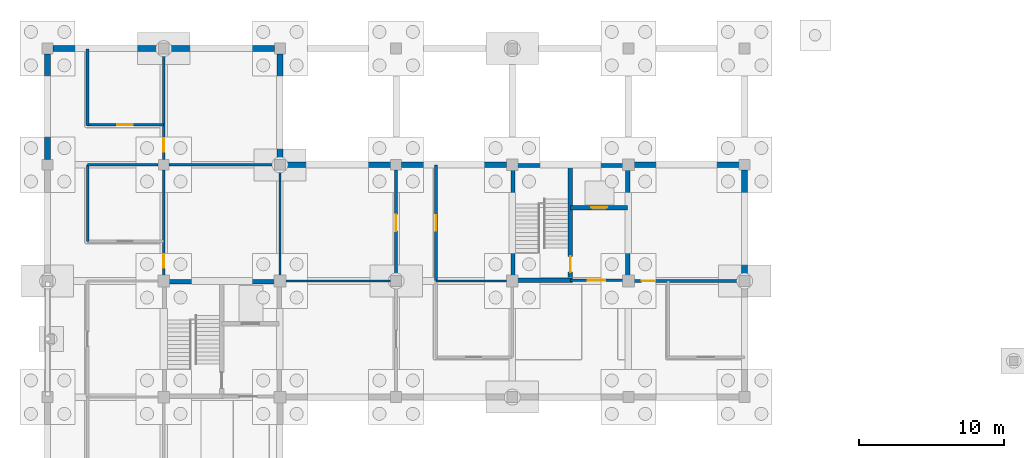
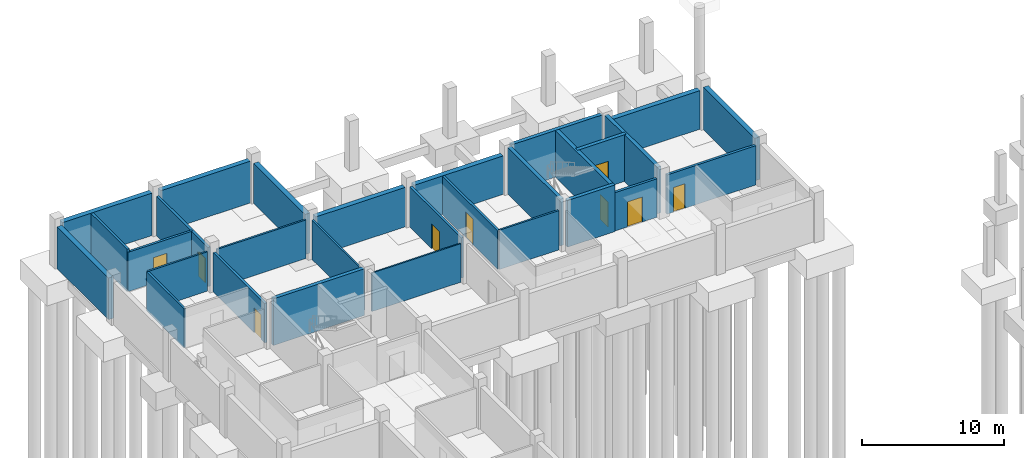
# One storey, part 33 of 48: 29 walls, 9 doors, 9 openings.
"""IFC4 building model written with IfcOpenShell, lengths in metres."""

import ifcopenshell
import ifcopenshell.guid

model = None  # the IFC model being written
_history = None  # IfcOwnerHistory: only IFC2X3 demands one
_inside = {}  # id of a spatial element -> (the spatial element, [elements in it])
_under = {}  # id of a project, library or spatial element -> (it, [spatial elements below it])
_declared = {}  # id of a project -> (the project, [libraries it declares])
_typed = {}  # id of a type object -> (the type object, [elements of that type])
_made_of = {}  # id of a material, layer set ... -> (it, [elements and type objects made of it])


def new_model(schema):
    """Start an empty IFC model of exactly this schema.

    Asked for "IFC4X3", IfcOpenShell would pick the latest addendum, in which some entities
    have other attributes; the version numbers below select the first issue.
    IFC2X3 requires an IfcOwnerHistory on every rooted entity: one is made here for all.
    """
    global model, _history
    if schema == "IFC4X3":
        model = ifcopenshell.file(schema_version=(4, 3, 0, 0))
    else:
        model = ifcopenshell.file(schema=schema)
    _inside.clear()
    _under.clear()
    _declared.clear()
    _typed.clear()
    _made_of.clear()
    _history = None
    if model.schema == "IFC2X3":
        org = make("IfcOrganization", Name="unknown")
        user = make(
            "IfcPersonAndOrganization",
            ThePerson=make("IfcPerson", FamilyName="unknown"),
            TheOrganization=org,
        )
        app = make(
            "IfcApplication",
            ApplicationDeveloper=org,
            Version="unknown",
            ApplicationFullName="unknown",
            ApplicationIdentifier="unknown",
        )
        _history = make(
            "IfcOwnerHistory",
            OwningUser=user,
            OwningApplication=app,
            ChangeAction="ADDED",
            CreationDate=0,
        )
    return model


def make(cls, **values):
    """One entity of the class cls with the attributes given. An attribute that is None is left unset."""
    return model.create_entity(
        cls, **{name: value for name, value in values.items() if value is not None}
    )


def rooted(cls, **values):
    """An entity with a GlobalId (a new one), such as an element, a storey or a relation."""
    return make(cls, GlobalId=ifcopenshell.guid.new(), OwnerHistory=_history, **values)


def si_unit(unit_type, name, prefix=None):
    """IfcSIUnit, for example si_unit("LENGTHUNIT", "METRE", prefix="MILLI")."""
    return make("IfcSIUnit", UnitType=unit_type, Prefix=prefix, Name=name)


def derived_unit(unit_type, elements):
    """IfcDerivedUnit: a product of units, each with its exponent."""
    return make(
        "IfcDerivedUnit",
        Elements=[
            make("IfcDerivedUnitElement", Unit=unit, Exponent=power)
            for unit, power in elements
        ],
        UnitType=unit_type,
    )


def assignment(units):
    """IfcUnitAssignment: the units of a project."""
    return None if units is None else make("IfcUnitAssignment", Units=units)


def point(xyz):
    """IfcCartesianPoint."""
    return None if xyz is None else make("IfcCartesianPoint", Coordinates=xyz)


def direction(xyz):
    """IfcDirection."""
    return None if xyz is None else make("IfcDirection", DirectionRatios=xyz)


def frame(location, z_axis=None, x_axis=None):
    """IfcAxis2Placement3D, a coordinate frame: its origin and axes. An axis left out is left unset."""
    return make(
        "IfcAxis2Placement3D",
        Location=point(location),
        Axis=direction(z_axis),
        RefDirection=direction(x_axis),
    )


def frame_2d(location, x_axis=None):
    """IfcAxis2Placement2D, a coordinate frame in the plane: its origin and x axis."""
    return make(
        "IfcAxis2Placement2D", Location=point(location), RefDirection=direction(x_axis)
    )


def origin():
    """The frame at (0, 0, 0) with its axes left unset."""
    return frame((0.0, 0.0, 0.0))


def place(relative_to, where):
    """IfcLocalPlacement: puts the frame where relative to a parent placement (None: the world)."""
    return make(
        "IfcLocalPlacement", PlacementRelTo=relative_to, RelativePlacement=where
    )


def context(
    kind, dimensions, precision=None, world=None, true_north=None, identifier=None
):
    """IfcGeometricRepresentationContext, for example the 3D "Model" context."""
    return make(
        "IfcGeometricRepresentationContext",
        ContextIdentifier=identifier,
        ContextType=kind,
        CoordinateSpaceDimension=dimensions,
        Precision=precision,
        WorldCoordinateSystem=world,
        TrueNorth=true_north,
    )


def subcontext(parent, identifier, kind, view, scale=None):
    """IfcGeometricRepresentationSubContext, for example "Body" below "Model"."""
    return make(
        "IfcGeometricRepresentationSubContext",
        ContextIdentifier=identifier,
        ContextType=kind,
        ParentContext=parent,
        TargetScale=scale,
        TargetView=view,
    )


def project(units=None, contexts=None):
    """IfcProject with its units and contexts."""
    return rooted(
        "IfcProject",
        Name="project",
        RepresentationContexts=contexts,
        UnitsInContext=assignment(units),
    )


def spatial(cls, under=None, at=None, **own):
    """A site, building, storey or space (cls), placed at a placement, below another one or the project."""
    s = rooted(cls, ObjectPlacement=at, **own)
    if under is not None:
        _under.setdefault(under.id(), (under, []))[1].append(s)
    return s


def profile(cls, at=None, kind="AREA", **sizes):
    """A parametric profile (cls). Its sizes go by their IFC names, for example OverallWidth=200.0."""
    return make(cls, ProfileType=kind, Position=at, **sizes)


def rectangle(**sizes):
    """IfcRectangleProfileDef."""
    return profile("IfcRectangleProfileDef", **sizes)


def extrude(swept, where, along, depth):
    """IfcExtrudedAreaSolid: the profile swept, set in the frame where, extruded along a direction by depth."""
    return make(
        "IfcExtrudedAreaSolid",
        SweptArea=swept,
        Position=where,
        ExtrudedDirection=direction(along),
        Depth=depth,
    )


def shape(context_of_items, identifier, shape_type, items):
    """IfcShapeRepresentation: the items that make up one representation, for example the "Body"."""
    return make(
        "IfcShapeRepresentation",
        ContextOfItems=context_of_items,
        RepresentationIdentifier=identifier,
        RepresentationType=shape_type,
        Items=items,
    )


def material(Name=None, Category=None):
    """IfcMaterial."""
    return make("IfcMaterial", Name=Name, Category=Category)


def layer(
    of_material, thickness, ventilated=None, Name=None, Category=None, Priority=None
):
    """IfcMaterialLayer: one layer of a wall or slab, of a material (None: an air gap)."""
    return make(
        "IfcMaterialLayer",
        Material=of_material,
        LayerThickness=thickness,
        IsVentilated=ventilated,
        Name=Name,
        Category=Category,
        Priority=Priority,
    )


def layer_set(layers, Name=None):
    """IfcMaterialLayerSet."""
    return make("IfcMaterialLayerSet", MaterialLayers=layers, LayerSetName=Name)


def made_of(thing, what):
    """Note that an element or type object is made of a material, layer set ...; save() writes the relation."""
    if what is not None:
        _made_of.setdefault(what.id(), (what, []))[1].append(thing)
    return thing


def type_object(cls, material=None, **own):
    """A type object (cls), such as IfcWallType, which elements share."""
    return made_of(rooted(cls, **own), material)


def element(
    cls,
    number,
    at=None,
    inside=None,
    cuts=None,
    type_object=None,
    material=None,
    context=None,
    identifier="Body",
    shape_type=None,
    held_by="IfcProductDefinitionShape",
    body=None,
    shapes=None,
    **own,
):
    """One element of the class cls, such as IfcWall. Its Tag is "e" and its number.

    at: its placement. inside: the storey or other place that contains it. cuts: it is an
    opening in that element (IfcRelVoidsElement). A single representation is given by context,
    identifier, shape_type and body (its items); several are given by shapes. held_by: the class
    of the entity that holds the representations. save() writes the other relations.
    """
    e = rooted(cls, Tag="e%d" % number, ObjectPlacement=at, **own)
    if body is not None:
        shapes = [shape(context, identifier, shape_type, body)]
    if shapes is not None:
        e.Representation = make(held_by, Representations=shapes)
    if inside is not None:
        _inside.setdefault(inside.id(), (inside, []))[1].append(e)
    if cuts is not None:
        rooted(
            "IfcRelVoidsElement", RelatingBuildingElement=cuts, RelatedOpeningElement=e
        )
    if type_object is not None:
        _typed.setdefault(type_object.id(), (type_object, []))[1].append(e)
    return made_of(e, material)


def fill(opening, filler):
    """IfcRelFillsElement: the door or window that sits in an opening."""
    return rooted(
        "IfcRelFillsElement",
        RelatingOpeningElement=opening,
        RelatedBuildingElement=filler,
    )


def aggregate(whole, parts):
    """IfcRelAggregates: a whole, such as a stair, and the parts it consists of."""
    return rooted("IfcRelAggregates", RelatingObject=whole, RelatedObjects=parts)


def save(model, path):
    """Write the relations noted so far, then the file.

    IfcRelAggregates (storeys below a building ...), IfcRelContainedInSpatialStructure (elements
    in a storey), IfcRelDefinesByType, IfcRelAssociatesMaterial and IfcRelDeclares: one each for
    every whole, place, type object, material and project.
    """
    for whole, parts in _under.values():
        aggregate(whole, parts)
    for where, things in _inside.values():
        rooted(
            "IfcRelContainedInSpatialStructure",
            RelatedElements=things,
            RelatingStructure=where,
        )
    for kind, things in _typed.values():
        rooted("IfcRelDefinesByType", RelatedObjects=things, RelatingType=kind)
    for what, things in _made_of.values():
        rooted("IfcRelAssociatesMaterial", RelatedObjects=things, RelatingMaterial=what)
    for by, libraries in _declared.values():
        rooted("IfcRelDeclares", RelatingContext=by, RelatedDefinitions=libraries)
    model.write(path)


model = new_model("IFC4")

# Units and contexts
model_context = context("Model", 3, precision=1e-05, world=origin(), true_north=direction((0.0, 1.0)))
body_context = subcontext(model_context, "Body", "Model", "MODEL_VIEW")
ifc_project = project(units=[si_unit("LENGTHUNIT", "METRE"), si_unit("AREAUNIT", "SQUARE_METRE"), si_unit("VOLUMEUNIT", "CUBIC_METRE"), si_unit("PLANEANGLEUNIT", "RADIAN"), si_unit("MASSUNIT", "GRAM", prefix="KILO"), derived_unit("THERMALTRANSMITTANCEUNIT", [(si_unit("MASSUNIT", "GRAM", prefix="KILO"), 1), (si_unit("TIMEUNIT", "SECOND"), -3), (si_unit("THERMODYNAMICTEMPERATUREUNIT", "KELVIN"), -1)])], contexts=[model_context])

# Site, building, storey
site_placement = place(None, origin())
site = spatial("IfcSite", under=ifc_project, at=site_placement, CompositionType="ELEMENT")
building_placement = place(site_placement, origin())
building = spatial("IfcBuilding", under=site, at=building_placement, Name="Veyamyaing Civic Hall", CompositionType="ELEMENT")
storey_placement = place(building_placement, frame((0.0, 0.0, -4.2900390625)))
storey = spatial("IfcBuildingStorey", under=building, at=storey_placement, Name="B1", CompositionType="ELEMENT", Elevation=-4.2900390625)

# Walls
ifc_material_1 = material(Name="Concrete C40/50", Category="concrete")
ifc_layer_1 = layer(ifc_material_1, 0.39990234375, Name="Concrete C40/50")
ifc_layer_set_1 = layer_set([ifc_layer_1], Name="Concrete C40/50")
wall_type_1 = type_object("IfcWallType", Name="WT-01", PredefinedType="SHEAR", material=ifc_layer_set_1)
wall_1_placement = place(storey_placement, frame((0.360107421875, 112.0, 0.0), z_axis=(0.0, 0.0, 1.0), x_axis=(1.0, 0.0, 0.0)))
element("IfcWall", 1, at=wall_1_placement, inside=storey, type_object=wall_type_1, Name="Basement retaining wall WT-01 N 1.14", PredefinedType="SHEAR", context=body_context, shape_type="SweptSolid", body=[
    extrude(rectangle(XDim=7.27978515625, YDim=0.39990234375, at=frame_2d((3.639892578125, 0.0))), origin(), (0.0, 0.0, 1.0), 3.654052734375),
])
wall_2_placement = place(storey_placement, frame((0.0, 104.360107421875, 0.0), z_axis=(0.0, 0.0, 1.0), x_axis=(0.0, 1.0, 0.0)))
element("IfcWall", 2, at=wall_2_placement, inside=storey, type_object=wall_type_1, Name="Basement retaining wall WT-01 W 1.14", PredefinedType="SHEAR", context=body_context, shape_type="SweptSolid", body=[
    extrude(rectangle(XDim=7.27978515625, YDim=0.39990234375, at=frame_2d((3.639892578125, 0.0))), origin(), (0.0, 0.0, 1.0), 3.590087890625),
])
wall_3_placement = place(storey_placement, frame((8.360107421875, 112.0, 0.0), z_axis=(0.0, 0.0, 1.0), x_axis=(1.0, 0.0, 0.0)))
element("IfcWall", 3, at=wall_3_placement, inside=storey, type_object=wall_type_1, Name="Basement retaining wall WT-01 N 2.14", PredefinedType="SHEAR", context=body_context, shape_type="SweptSolid", body=[
    extrude(rectangle(XDim=7.27978515625, YDim=0.39990234375, at=frame_2d((3.639892578125, 0.0))), origin(), (0.0, 0.0, 1.0), 3.593994140625),
])
wall_4_placement = place(storey_placement, frame((16.0, 104.360107421875, 0.0), z_axis=(0.0, 0.0, 1.0), x_axis=(0.0, 1.0, 0.0)))
element("IfcWall", 4, at=wall_4_placement, inside=storey, type_object=wall_type_1, Name="Basement retaining wall WT-01 E 2.14", PredefinedType="SHEAR", context=body_context, shape_type="SweptSolid", body=[
    extrude(rectangle(XDim=7.27978515625, YDim=0.39990234375, at=frame_2d((3.639892578125, 0.0))), origin(), (0.0, 0.0, 1.0), 3.4580078125),
])
wall_5_placement = place(storey_placement, frame((16.360107421875, 104.0, 0.0), z_axis=(0.0, 0.0, 1.0), x_axis=(1.0, 0.0, 0.0)))
element("IfcWall", 5, at=wall_5_placement, inside=storey, type_object=wall_type_1, Name="Basement retaining wall WT-01 N 3.13", PredefinedType="SHEAR", context=body_context, shape_type="SweptSolid", body=[
    extrude(rectangle(XDim=7.27978515625, YDim=0.39990234375, at=frame_2d((3.639892578125, 0.0))), origin(), (0.0, 0.0, 1.0), 3.39111328125),
])
wall_6_placement = place(storey_placement, frame((24.360107421875, 104.0, 0.0), z_axis=(0.0, 0.0, 1.0), x_axis=(1.0, 0.0, 0.0)))
element("IfcWall", 6, at=wall_6_placement, inside=storey, type_object=wall_type_1, Name="Basement retaining wall WT-01 N 4.13", PredefinedType="SHEAR", context=body_context, shape_type="SweptSolid", body=[
    extrude(rectangle(XDim=7.2548828125, YDim=0.39990234375, at=frame_2d((3.62744140625, 0.0))), origin(), (0.0, 0.0, 1.0), 3.31396484375),
])
wall_7_placement = place(storey_placement, frame((40.385009765625, 104.0, 0.0), z_axis=(0.0, 0.0, 1.0), x_axis=(1.0, 0.0, 0.0)))
element("IfcWall", 7, at=wall_7_placement, inside=storey, type_object=wall_type_1, Name="Basement retaining wall WT-01 N 6.13", PredefinedType="SHEAR", context=body_context, shape_type="SweptSolid", body=[
    extrude(rectangle(XDim=7.2548828125, YDim=0.39990234375, at=frame_2d((3.62744140625, 0.0))), origin(), (0.0, 0.0, 1.0), 3.322998046875),
])
wall_8_placement = place(storey_placement, frame((48.0, 96.360107421875, 0.0), z_axis=(0.0, 0.0, 1.0), x_axis=(0.0, 1.0, 0.0)))
element("IfcWall", 8, at=wall_8_placement, inside=storey, type_object=wall_type_1, Name="Basement retaining wall WT-01 E 6.13", PredefinedType="SHEAR", context=body_context, shape_type="SweptSolid", body=[
    extrude(rectangle(XDim=7.27978515625, YDim=0.39990234375, at=frame_2d((3.639892578125, 0.0))), origin(), (0.0, 0.0, 1.0), 3.654052734375),
])
ifc_layer_2 = layer(ifc_material_1, 0.300048828125, Name="Concrete C40/50")
ifc_layer_set_2 = layer_set([ifc_layer_2], Name="Concrete C40/50")
wall_type_2 = type_object("IfcWallType", Name="WT-05", PredefinedType="SHEAR", material=ifc_layer_set_2)
for number, where, z_axis, x_axis, name in (
    (9, (8.2900390625, 95.949951171875, 0.0), (0.0, 0.0, 1.0), (1.0, 0.0, 0.0), "Core shear wall WT-05 CORE-1 B1.N"),
    (10, (32.050048828125, 96.2900390625, 0.0), (0.0, 0.0, 1.0), (0.0, 1.0, 0.0), "Core shear wall WT-05 CORE-2 B1.W"),
    (11, (32.2900390625, 103.949951171875, 0.0), (0.0, 0.0, 1.0), (1.0, 0.0, 0.0), "Core shear wall WT-05 CORE-2 B1.N"),
    (12, (39.949951171875, 96.2900390625, 0.0), (0.0, 0.0, 1.0), (0.0, 1.0, 0.0), "Core shear wall WT-05 CORE-2 B1.E"),
):
    element("IfcWall", number, at=place(storey_placement, frame(where, z_axis=z_axis, x_axis=x_axis)), inside=storey, type_object=wall_type_2, Name=name, PredefinedType="SHEAR", context=body_context, shape_type="SweptSolid", body=[
        extrude(rectangle(XDim=7.419921875, YDim=0.300048828125, at=frame_2d((3.7099609375, 0.0))), origin(), (0.0, 0.0, 1.0), 4.01513671875),
    ])
wall_9_placement = place(storey_placement, frame((32.2900390625, 96.050048828125, 0.0), z_axis=(0.0, 0.0, 1.0), x_axis=(1.0, 0.0, 0.0)))
element("IfcWall", 13, at=wall_9_placement, inside=storey, type_object=wall_type_2, Name="Core shear wall WT-05 CORE-2 B1.SS", PredefinedType="SHEAR", context=body_context, shape_type="SweptSolid", body=[
    extrude(rectangle(XDim=3.85986328125, YDim=0.300048828125, at=frame_2d((1.929931640625, 0.0))), origin(), (0.0, 0.0, 1.0), 4.01513671875),
])

# Wall, opening, door
wall_10_placement = place(storey_placement, frame((36.0, 96.050048828125, 0.0), z_axis=(0.0, 0.0, 1.0), x_axis=(0.0, 1.0, 0.0)))
wall_10 = element("IfcWall", 14, at=wall_10_placement, inside=storey, type_object=wall_type_2, Name="Core shear wall WT-05 CORE-2 B1.MID", PredefinedType="SHEAR", context=body_context, shape_type="SweptSolid", body=[
    extrude(rectangle(XDim=7.89990234375, YDim=0.300048828125, at=frame_2d((3.949951171875, 0.0))), origin(), (0.0, 0.0, 1.0), 4.01513671875),
])
opening_1_placement = place(wall_10_placement, frame((0.550048828125, 0.0, 0.0)))
opening_1 = element("IfcOpeningElement", 15, at=opening_1_placement, cuts=wall_10, Name="Opening D-03", PredefinedType="OPENING", context=body_context, shape_type="SweptSolid", body=[
    extrude(rectangle(XDim=1.10009765625, YDim=2.14990234375, at=frame_2d((0.550048828125, 1.074951171875))), frame((0.0, 0.159912109375, 0.0), z_axis=(0.0, -1.0, 0.0), x_axis=(1.0, 0.0, 0.0)), (0.0, 0.0, 1.0), 0.320068359375),
])
ifc_material_2 = material(Name="Galvanized steel S355J2", Category="steel")
door_type_1 = type_object("IfcDoorType", Name="D-03", OperationType="NOTDEFINED", PredefinedType="DOOR", material=ifc_material_2)
door_1_placement = place(opening_1_placement, origin())
door_1 = element("IfcDoor", 16, at=door_1_placement, inside=storey, type_object=door_type_1, Name="Exit stair fire door D-03 ST-02 B1", OperationType="SINGLE_SWING_LEFT", OverallHeight=2.14990234375, OverallWidth=1.10009765625, PredefinedType="DOOR", context=body_context, shape_type="SweptSolid", body=[
    extrude(rectangle(XDim=1.10009765625, YDim=2.14990234375, at=frame_2d((0.550048828125, 1.074951171875))), frame((0.0, 0.02490234375, 0.0), z_axis=(0.0, -1.0, 0.0), x_axis=(1.0, 0.0, 0.0)), (0.0, 0.0, 1.0), 0.050048828125),
])
fill(opening_1, door_1)

wall_11_placement = place(storey_placement, frame((36.0, 101.050048828125, 0.0), z_axis=(0.0, 0.0, 1.0), x_axis=(1.0, 0.0, 0.0)))
wall_11 = element("IfcWall", 17, at=wall_11_placement, inside=storey, type_object=wall_type_2, Name="Core shear wall WT-05 CORE-2 B1.LFT", PredefinedType="SHEAR", context=body_context, shape_type="SweptSolid", body=[
    extrude(rectangle(XDim=3.949951171875, YDim=0.300048828125, at=frame_2d((1.97509765625, 0.0))), origin(), (0.0, 0.0, 1.0), 4.01513671875),
])
opening_2_placement = place(wall_11_placement, frame((1.425048828125, 0.0, 0.0)))
opening_2 = element("IfcOpeningElement", 18, at=opening_2_placement, cuts=wall_11, Name="Opening LD-01", PredefinedType="OPENING", context=body_context, shape_type="SweptSolid", body=[
    extrude(rectangle(XDim=1.10009765625, YDim=2.199951171875, at=frame_2d((0.550048828125, 1.10009765625))), frame((0.0, 0.159912109375, 0.0), z_axis=(0.0, -1.0, 0.0), x_axis=(1.0, 0.0, 0.0)), (0.0, 0.0, 1.0), 0.320068359375),
])
ifc_material_3 = material(Name="Anodised aluminium 6063-T6", Category="aluminium")
door_type_2 = type_object("IfcDoorType", Name="LD-01", OperationType="SLIDING_TO_LEFT", PredefinedType="DOOR", material=ifc_material_3)
door_2_placement = place(opening_2_placement, origin())
door_2 = element("IfcDoor", 19, at=door_2_placement, inside=storey, type_object=door_type_2, Name="Lift sliding landing door LD-01 PL-01 B1", OperationType="SLIDING_TO_LEFT", OverallHeight=2.199951171875, OverallWidth=1.10009765625, PredefinedType="DOOR", context=body_context, shape_type="SweptSolid", body=[
    extrude(rectangle(XDim=1.10009765625, YDim=2.199951171875, at=frame_2d((0.550048828125, 1.10009765625))), frame((0.0, 0.02490234375, 0.0), z_axis=(0.0, -1.0, 0.0), x_axis=(1.0, 0.0, 0.0)), (0.0, 0.0, 1.0), 0.050048828125),
])
fill(opening_2, door_2)

ifc_layer_3 = layer(ifc_material_1, 0.199951171875, Name="Concrete C40/50")
ifc_layer_set_3 = layer_set([ifc_layer_3], Name="Concrete C40/50")
wall_type_3 = type_object("IfcWallType", Name="WT-06", PredefinedType="PARTITIONING", material=ifc_layer_set_3)
wall_12_placement = place(storey_placement, frame((36.0, 96.050048828125, 0.0), z_axis=(0.0, 0.0, 1.0), x_axis=(1.0, 0.0, 0.0)))
wall_12 = element("IfcWall", 20, at=wall_12_placement, inside=storey, type_object=wall_type_3, Name="Firefighting lift lobby wall WT-06 CORE-2 B1", PredefinedType="PARTITIONING", context=body_context, shape_type="SweptSolid", body=[
    extrude(rectangle(XDim=3.610107421875, YDim=0.199951171875, at=frame_2d((1.80517578125, 0.0))), origin(), (0.0, 0.0, 1.0), 3.30712890625),
])
opening_3_placement = place(wall_12_placement, frame((1.205078125, 0.0, 0.0)))
opening_3 = element("IfcOpeningElement", 21, at=opening_3_placement, cuts=wall_12, Name="Opening D-04", PredefinedType="OPENING", context=body_context, shape_type="SweptSolid", body=[
    extrude(rectangle(XDim=1.199951171875, YDim=2.14990234375, at=frame_2d((0.60009765625, 1.074951171875))), frame((0.0, 0.10986328125, 0.0), z_axis=(0.0, -1.0, 0.0), x_axis=(1.0, 0.0, 0.0)), (0.0, 0.0, 1.0), 0.219970703125),
])
door_type_3 = type_object("IfcDoorType", Name="D-04", OperationType="NOTDEFINED", PredefinedType="DOOR", material=ifc_material_2)
door_3_placement = place(opening_3_placement, frame((1.199951171875, 0.0, 0.0), z_axis=(0.0, 0.0, 1.0), x_axis=(-1.0, 0.0, 0.0)))
door_3 = element("IfcDoor", 22, at=door_3_placement, inside=storey, type_object=door_type_3, Name="Protected lobby fire door D-04 CORE-2 B1", OperationType="SINGLE_SWING_RIGHT", OverallHeight=2.14990234375, OverallWidth=1.199951171875, PredefinedType="DOOR", context=body_context, shape_type="SweptSolid", body=[
    extrude(rectangle(XDim=1.199951171875, YDim=2.14990234375, at=frame_2d((0.60009765625, 1.074951171875))), frame((0.0, 0.02490234375, 0.0), z_axis=(0.0, -1.0, 0.0), x_axis=(1.0, 0.0, 0.0)), (0.0, 0.0, 1.0), 0.050048828125),
])
fill(opening_3, door_3)

wall_13_placement = place(storey_placement, frame((8.0, 96.389892578125, 0.0), z_axis=(0.0, 0.0, 1.0), x_axis=(0.0, 1.0, 0.0)))
wall_13 = element("IfcWall", 23, at=wall_13_placement, inside=storey, type_object=wall_type_3, Name="Interior partition wall WT-06 B1.2", PredefinedType="PARTITIONING", context=body_context, shape_type="SweptSolid", body=[
    extrude(rectangle(XDim=7.2451171875, YDim=0.199951171875, at=frame_2d((3.62255859375, 0.0))), origin(), (0.0, 0.0, 1.0), 3.39208984375),
])
opening_4_placement = place(wall_13_placement, frame((0.52001953125, 0.0, 0.0)))
opening_4 = element("IfcOpeningElement", 24, at=opening_4_placement, cuts=wall_13, Name="Opening D-30", PredefinedType="OPENING", context=body_context, shape_type="SweptSolid", body=[
    extrude(rectangle(XDim=0.93994140625, YDim=2.1201171875, at=frame_2d((0.469970703125, 1.06005859375))), frame((0.0, 0.10986328125, 0.0), z_axis=(0.0, -1.0, 0.0), x_axis=(1.0, 0.0, 0.0)), (0.0, 0.0, 1.0), 0.219970703125),
])
ifc_material_4 = material(Name="Teak-veneered acoustic timber", Category="wood")
door_type_4 = type_object("IfcDoorType", Name="D-30", OperationType="NOTDEFINED", PredefinedType="DOOR", material=ifc_material_4)
door_4_placement = place(opening_4_placement, frame((0.93994140625, 0.0, 0.0), z_axis=(0.0, 0.0, 1.0), x_axis=(-1.0, 0.0, 0.0)))
door_4 = element("IfcDoor", 25, at=door_4_placement, inside=storey, type_object=door_type_4, Name="Interior door D-30 B1.2", OperationType="SINGLE_SWING_LEFT", OverallHeight=2.1201171875, OverallWidth=0.93994140625, PredefinedType="DOOR", context=body_context, shape_type="SweptSolid", body=[
    extrude(rectangle(XDim=0.93994140625, YDim=2.1201171875, at=frame_2d((0.469970703125, 1.06005859375))), frame((0.0, 0.02490234375, 0.0), z_axis=(0.0, -1.0, 0.0), x_axis=(1.0, 0.0, 0.0)), (0.0, 0.0, 1.0), 0.050048828125),
])
fill(opening_4, door_4)

wall_14_placement = place(storey_placement, frame((8.0, 104.364990234375, 0.0), z_axis=(0.0, 0.0, 1.0), x_axis=(0.0, 1.0, 0.0)))
wall_14 = element("IfcWall", 26, at=wall_14_placement, inside=storey, type_object=wall_type_3, Name="Interior partition wall WT-06 B1.3", PredefinedType="PARTITIONING", context=body_context, shape_type="SweptSolid", body=[
    extrude(rectangle(XDim=7.27001953125, YDim=0.199951171875, at=frame_2d((3.635009765625, 0.0))), origin(), (0.0, 0.0, 1.0), 3.384033203125),
])
opening_5_placement = place(wall_14_placement, frame((0.52001953125, 0.0, 0.0)))
opening_5 = element("IfcOpeningElement", 27, at=opening_5_placement, cuts=wall_14, Name="Opening D-30", PredefinedType="OPENING", context=body_context, shape_type="SweptSolid", body=[
    extrude(rectangle(XDim=0.93994140625, YDim=2.1201171875, at=frame_2d((0.469970703125, 1.06005859375))), frame((0.0, 0.10986328125, 0.0), z_axis=(0.0, -1.0, 0.0), x_axis=(1.0, 0.0, 0.0)), (0.0, 0.0, 1.0), 0.219970703125),
])
door_5_placement = place(opening_5_placement, frame((0.93994140625, 0.0, 0.0), z_axis=(0.0, 0.0, 1.0), x_axis=(-1.0, 0.0, 0.0)))
door_5 = element("IfcDoor", 28, at=door_5_placement, inside=storey, type_object=door_type_4, Name="Interior door D-30 B1.3", OperationType="SINGLE_SWING_RIGHT", OverallHeight=2.1201171875, OverallWidth=0.93994140625, PredefinedType="DOOR", context=body_context, shape_type="SweptSolid", body=[
    extrude(rectangle(XDim=0.93994140625, YDim=2.1201171875, at=frame_2d((0.469970703125, 1.06005859375))), frame((0.0, 0.02490234375, 0.0), z_axis=(0.0, -1.0, 0.0), x_axis=(1.0, 0.0, 0.0)), (0.0, 0.0, 1.0), 0.050048828125),
])
fill(opening_5, door_5)

wall_15_placement = place(storey_placement, frame((24.0, 96.364990234375, 0.0), z_axis=(0.0, 0.0, 1.0), x_axis=(0.0, 1.0, 0.0)))
wall_15 = element("IfcWall", 29, at=wall_15_placement, inside=storey, type_object=wall_type_3, Name="Interior partition wall WT-06 B1.11", PredefinedType="PARTITIONING", context=body_context, shape_type="SweptSolid", body=[
    extrude(rectangle(XDim=7.27001953125, YDim=0.199951171875, at=frame_2d((3.635009765625, 0.0))), origin(), (0.0, 0.0, 1.0), 3.450927734375),
])
opening_6_placement = place(wall_15_placement, frame((3.06005859375, 0.0, 0.0)))
opening_6 = element("IfcOpeningElement", 30, at=opening_6_placement, cuts=wall_15, Name="Opening D-17", PredefinedType="OPENING", context=body_context, shape_type="SweptSolid", body=[
    extrude(rectangle(XDim=1.14990234375, YDim=2.14990234375, at=frame_2d((0.574951171875, 1.074951171875))), frame((0.0, 0.10986328125, 0.0), z_axis=(0.0, -1.0, 0.0), x_axis=(1.0, 0.0, 0.0)), (0.0, 0.0, 1.0), 0.219970703125),
])
door_type_5 = type_object("IfcDoorType", Name="D-17", OperationType="NOTDEFINED", PredefinedType="DOOR", material=ifc_material_2)
door_6_placement = place(opening_6_placement, origin())
door_6 = element("IfcDoor", 31, at=door_6_placement, inside=storey, type_object=door_type_5, Name="Interior door D-17 B1.11", OperationType="SINGLE_SWING_LEFT", OverallHeight=2.14990234375, OverallWidth=1.14990234375, PredefinedType="DOOR", context=body_context, shape_type="SweptSolid", body=[
    extrude(rectangle(XDim=1.14990234375, YDim=2.14990234375, at=frame_2d((0.574951171875, 1.074951171875))), frame((0.0, 0.02490234375, 0.0), z_axis=(0.0, -1.0, 0.0), x_axis=(1.0, 0.0, 0.0)), (0.0, 0.0, 1.0), 0.050048828125),
])
fill(opening_6, door_6)

wall_16_placement = place(storey_placement, frame((40.389892578125, 96.0, 0.0), z_axis=(0.0, 0.0, 1.0), x_axis=(1.0, 0.0, 0.0)))
wall_16 = element("IfcWall", 32, at=wall_16_placement, inside=storey, type_object=wall_type_3, Name="Interior partition wall WT-06 B1.12", PredefinedType="PARTITIONING", context=body_context, shape_type="SweptSolid", body=[
    extrude(rectangle(XDim=7.2451171875, YDim=0.199951171875, at=frame_2d((3.62255859375, 0.0))), origin(), (0.0, 0.0, 1.0), 3.383056640625),
])
opening_7_placement = place(wall_16_placement, frame((0.52001953125, 0.0, 0.0)))
opening_7 = element("IfcOpeningElement", 33, at=opening_7_placement, cuts=wall_16, Name="Opening D-30", PredefinedType="OPENING", context=body_context, shape_type="SweptSolid", body=[
    extrude(rectangle(XDim=0.93994140625, YDim=2.1201171875, at=frame_2d((0.469970703125, 1.06005859375))), frame((0.0, 0.10986328125, 0.0), z_axis=(0.0, -1.0, 0.0), x_axis=(1.0, 0.0, 0.0)), (0.0, 0.0, 1.0), 0.219970703125),
])
door_7_placement = place(opening_7_placement, origin())
door_7 = element("IfcDoor", 34, at=door_7_placement, inside=storey, type_object=door_type_4, Name="Interior door D-30 B1.12", OperationType="SINGLE_SWING_RIGHT", OverallHeight=2.1201171875, OverallWidth=0.93994140625, PredefinedType="DOOR", context=body_context, shape_type="SweptSolid", body=[
    extrude(rectangle(XDim=0.93994140625, YDim=2.1201171875, at=frame_2d((0.469970703125, 1.06005859375))), frame((0.0, 0.02490234375, 0.0), z_axis=(0.0, -1.0, 0.0), x_axis=(1.0, 0.0, 0.0)), (0.0, 0.0, 1.0), 0.050048828125),
])
fill(opening_7, door_7)

# Walls
ifc_material_5 = material(Name="Gypsum board on acoustic steel stud", Category="steel")
ifc_layer_4 = layer(ifc_material_5, 0.175048828125, Name="Gypsum board on acoustic steel stud")
ifc_layer_set_4 = layer_set([ifc_layer_4], Name="Gypsum board on acoustic steel stud")
wall_type_4 = type_object("IfcWallType", Name="WT-07", PredefinedType="PARTITIONING", material=ifc_layer_set_4)
wall_17_placement = place(storey_placement, frame((2.75, 98.699951171875, 0.0), z_axis=(0.0, 0.0, 1.0), x_axis=(0.0, 1.0, 0.0)))
element("IfcWall", 35, at=wall_17_placement, inside=storey, type_object=wall_type_4, Name="Corridor gallery partition WT-07 B1.3.2", PredefinedType="PARTITIONING", context=body_context, shape_type="SweptSolid", body=[
    extrude(rectangle(XDim=5.280029296875, YDim=0.175048828125, at=frame_2d((2.64013671875, 0.0))), origin(), (0.0, 0.0, 1.0), 3.383056640625),
])
ifc_material_6 = material(Name="Gypsum board on steel stud", Category="steel")
ifc_layer_5 = layer(ifc_material_6, 0.14990234375, Name="Gypsum board on steel stud")
ifc_layer_set_5 = layer_set([ifc_layer_5], Name="Gypsum board on steel stud")
wall_type_5 = type_object("IfcWallType", Name="WT-08", PredefinedType="PARTITIONING", material=ifc_layer_set_5)
wall_18_placement = place(storey_placement, frame((2.75, 104.0, 0.0), z_axis=(0.0, 0.0, 1.0), x_axis=(1.0, 0.0, 0.0)))
element("IfcWall", 36, at=wall_18_placement, inside=storey, type_object=wall_type_5, Name="Gallery office end partition WT-08 B1.3.1", PredefinedType="PARTITIONING", context=body_context, shape_type="SweptSolid", body=[
    extrude(rectangle(XDim=4.864990234375, YDim=0.14990234375, at=frame_2d((2.4326171875, 0.0))), origin(), (0.0, 0.0, 1.0), 3.383056640625),
])
wall_19_placement = place(storey_placement, frame((26.75, 96.0, 0.0), z_axis=(0.0, 0.0, 1.0), x_axis=(1.0, 0.0, 0.0)))
element("IfcWall", 37, at=wall_19_placement, inside=storey, type_object=wall_type_5, Name="Gallery office end partition WT-08 B1.13.1", PredefinedType="PARTITIONING", context=body_context, shape_type="SweptSolid", body=[
    extrude(rectangle(XDim=4.840087890625, YDim=0.14990234375, at=frame_2d((2.419921875, 0.0))), origin(), (0.0, 0.0, 1.0), 3.384033203125),
])
wall_20_placement = place(storey_placement, frame((8.364990234375, 104.0, 0.0), z_axis=(0.0, 0.0, 1.0), x_axis=(1.0, 0.0, 0.0)))
element("IfcWall", 38, at=wall_20_placement, inside=storey, type_object=wall_type_5, Name="Interior partition wall WT-08 B1.8", PredefinedType="PARTITIONING", context=body_context, shape_type="SweptSolid", body=[
    extrude(rectangle(XDim=7.27001953125, YDim=0.14990234375, at=frame_2d((3.635009765625, 0.0))), origin(), (0.0, 0.0, 1.0), 3.31591796875),
])
ifc_layer_6 = layer(ifc_material_6, 0.1201171875, Name="Gypsum board on steel stud")
ifc_layer_set_6 = layer_set([ifc_layer_6], Name="Gypsum board on steel stud")
wall_type_6 = type_object("IfcWallType", Name="WT-16", PredefinedType="PARTITIONING", material=ifc_layer_set_6)
wall_21_placement = place(storey_placement, frame((16.389892578125, 96.0, 0.0), z_axis=(0.0, 0.0, 1.0), x_axis=(1.0, 0.0, 0.0)))
element("IfcWall", 39, at=wall_21_placement, inside=storey, type_object=wall_type_6, Name="Interior partition wall WT-16 B1.10", PredefinedType="PARTITIONING", context=body_context, shape_type="SweptSolid", body=[
    extrude(rectangle(XDim=7.2451171875, YDim=0.1201171875, at=frame_2d((3.62255859375, 0.0))), origin(), (0.0, 0.0, 1.0), 3.31591796875),
])

# Wall, opening, door
ifc_material_7 = material(Name="Gypsum board on double acoustic stud")
ifc_layer_7 = layer(ifc_material_7, 0.18505859375, Name="Gypsum board on double acoustic stud")
ifc_layer_set_7 = layer_set([ifc_layer_7], Name="Gypsum board on double acoustic stud")
wall_type_7 = type_object("IfcWallType", Name="WT-19", PredefinedType="PARTITIONING", material=ifc_layer_set_7)
wall_22_placement = place(storey_placement, frame((2.699951171875, 106.75, 0.0), z_axis=(0.0, 0.0, 1.0), x_axis=(1.0, 0.0, 0.0)))
wall_22 = element("IfcWall", 40, at=wall_22_placement, inside=storey, type_object=wall_type_7, Name="Corridor gallery partition WT-19 B1.4.1", PredefinedType="PARTITIONING", context=body_context, shape_type="SweptSolid", body=[
    extrude(rectangle(XDim=5.280029296875, YDim=0.18505859375, at=frame_2d((2.64013671875, 0.0))), origin(), (0.0, 0.0, 1.0), 3.384033203125),
])
opening_8_placement = place(wall_22_placement, frame((2.10009765625, 0.0, 0.0)))
opening_8 = element("IfcOpeningElement", 41, at=opening_8_placement, cuts=wall_22, Name="Opening D-23", PredefinedType="OPENING", context=body_context, shape_type="SweptSolid", body=[
    extrude(rectangle(XDim=1.080078125, YDim=2.199951171875, at=frame_2d((0.5400390625, 1.10009765625))), frame((0.0, 0.1025390625, 0.0), z_axis=(0.0, -1.0, 0.0), x_axis=(1.0, 0.0, 0.0)), (0.0, 0.0, 1.0), 0.205078125),
])
door_type_6 = type_object("IfcDoorType", Name="D-23", OperationType="NOTDEFINED", PredefinedType="DOOR", material=ifc_material_4)
door_8_placement = place(opening_8_placement, origin())
door_8 = element("IfcDoor", 42, at=door_8_placement, inside=storey, type_object=door_type_6, Name="Gallery office door D-23 B1.4", OperationType="SINGLE_SWING_RIGHT", OverallHeight=2.199951171875, OverallWidth=1.080078125, PredefinedType="DOOR", context=body_context, shape_type="SweptSolid", body=[
    extrude(rectangle(XDim=1.080078125, YDim=2.199951171875, at=frame_2d((0.5400390625, 1.10009765625))), frame((0.0, 0.02490234375, 0.0), z_axis=(0.0, -1.0, 0.0), x_axis=(1.0, 0.0, 0.0)), (0.0, 0.0, 1.0), 0.050048828125),
])
fill(opening_8, door_8)

# Wall
wall_23_placement = place(storey_placement, frame((2.75, 106.699951171875, 0.0), z_axis=(0.0, 0.0, 1.0), x_axis=(0.0, 1.0, 0.0)))
element("IfcWall", 43, at=wall_23_placement, inside=storey, type_object=wall_type_7, Name="Corridor gallery partition WT-19 B1.4.2", PredefinedType="PARTITIONING", context=body_context, shape_type="SweptSolid", body=[
    extrude(rectangle(XDim=5.280029296875, YDim=0.18505859375, at=frame_2d((2.64013671875, 0.0))), origin(), (0.0, 0.0, 1.0), 3.64697265625),
])

# Wall, opening, door
wall_24_placement = place(storey_placement, frame((26.75, 96.02001953125, 0.0), z_axis=(0.0, 0.0, 1.0), x_axis=(0.0, 1.0, 0.0)))
wall_24 = element("IfcWall", 44, at=wall_24_placement, inside=storey, type_object=wall_type_7, Name="Corridor gallery partition WT-19 B1.14.1", PredefinedType="PARTITIONING", context=body_context, shape_type="SweptSolid", body=[
    extrude(rectangle(XDim=7.9599609375, YDim=0.18505859375, at=frame_2d((3.97998046875, 0.0))), origin(), (0.0, 0.0, 1.0), 3.30712890625),
])
opening_9_placement = place(wall_24_placement, frame((3.43994140625, 0.0, 0.0)))
opening_9 = element("IfcOpeningElement", 45, at=opening_9_placement, cuts=wall_24, Name="Opening D-23", PredefinedType="OPENING", context=body_context, shape_type="SweptSolid", body=[
    extrude(rectangle(XDim=1.080078125, YDim=2.199951171875, at=frame_2d((0.5400390625, 1.10009765625))), frame((0.0, 0.1025390625, 0.0), z_axis=(0.0, -1.0, 0.0), x_axis=(1.0, 0.0, 0.0)), (0.0, 0.0, 1.0), 0.205078125),
])
door_9_placement = place(opening_9_placement, frame((1.080078125, 0.0, 0.0), z_axis=(0.0, 0.0, 1.0), x_axis=(-1.0, 0.0, 0.0)))
door_9 = element("IfcDoor", 46, at=door_9_placement, inside=storey, type_object=door_type_6, Name="Gallery office door D-23 B1.14", OperationType="SINGLE_SWING_RIGHT", OverallHeight=2.199951171875, OverallWidth=1.080078125, PredefinedType="DOOR", context=body_context, shape_type="SweptSolid", body=[
    extrude(rectangle(XDim=1.080078125, YDim=2.199951171875, at=frame_2d((0.5400390625, 1.10009765625))), frame((0.0, 0.02490234375, 0.0), z_axis=(0.0, -1.0, 0.0), x_axis=(1.0, 0.0, 0.0)), (0.0, 0.0, 1.0), 0.050048828125),
])
fill(opening_9, door_9)

# Wall
ifc_layer_8 = layer(ifc_material_6, 0.14208984375, Name="Gypsum board on steel stud")
ifc_layer_set_8 = layer_set([ifc_layer_8], Name="Gypsum board on steel stud")
wall_type_8 = type_object("IfcWallType", Name="WT-20", PredefinedType="PARTITIONING", material=ifc_layer_set_8)
wall_25_placement = place(storey_placement, frame((16.0, 96.389892578125, 0.0), z_axis=(0.0, 0.0, 1.0), x_axis=(0.0, 1.0, 0.0)))
element("IfcWall", 47, at=wall_25_placement, inside=storey, type_object=wall_type_8, Name="Interior partition wall WT-20 B1.7", PredefinedType="PARTITIONING", context=body_context, shape_type="SweptSolid", body=[
    extrude(rectangle(XDim=7.2451171875, YDim=0.14208984375, at=frame_2d((3.62255859375, 0.0))), origin(), (0.0, 0.0, 1.0), 3.384033203125),
])

save(model, "model.ifc")
